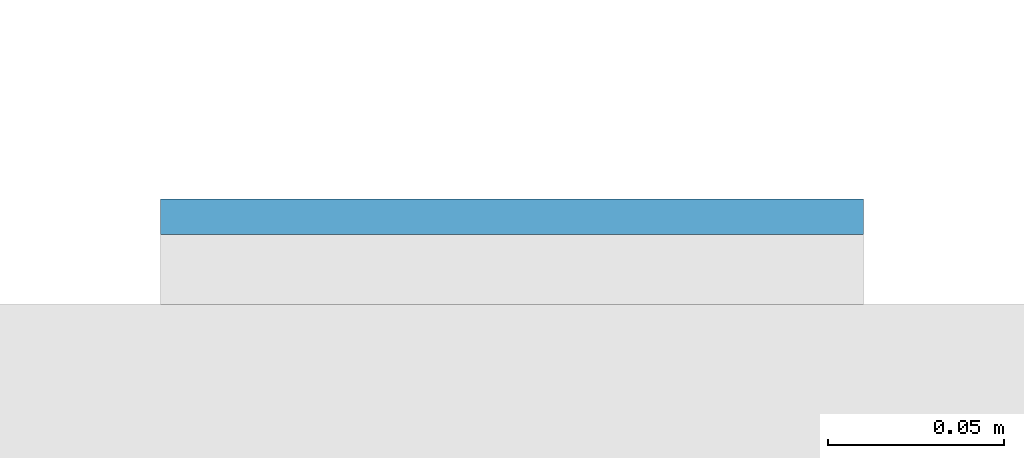
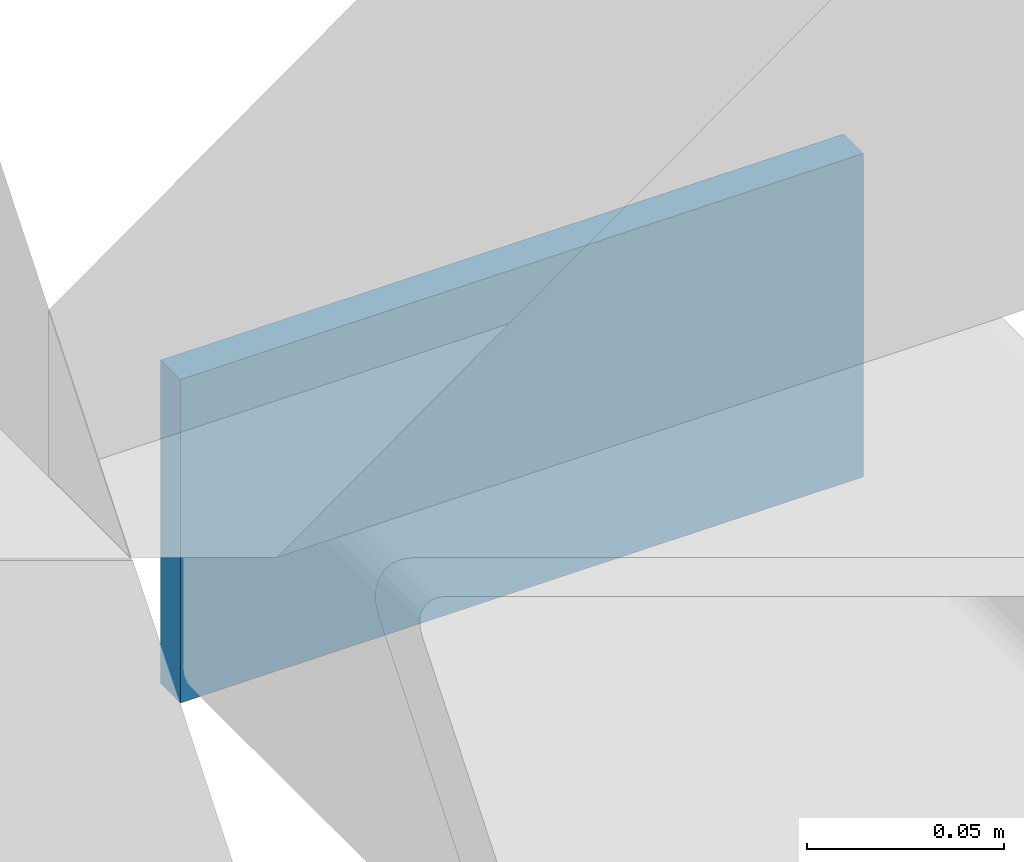
# One storey, part 6 of 12: 1 plate.
"""IFC4 building model written with IfcOpenShell, lengths in metres."""

from ifc_helpers import new_model, si_unit, direction, frame, origin, origin_2d, place, context, subcontext, project, spatial, rectangle, extrude, material, layer, layer_set, type_object, element, save


model = new_model("IFC4")

# Units and contexts
model_context = context("Model", 3, precision=1e-05, world=origin(), true_north=direction((0.0, 1.0)))
body_context = subcontext(model_context, "Body", "Model", "MODEL_VIEW")
ifc_project = project(units=[si_unit("LENGTHUNIT", "METRE"), si_unit("AREAUNIT", "SQUARE_METRE"), si_unit("VOLUMEUNIT", "CUBIC_METRE"), si_unit("PLANEANGLEUNIT", "RADIAN"), si_unit("MASSUNIT", "GRAM", prefix="KILO")], contexts=[model_context])

# Site, building, storey
site_placement = place(None, origin())
site = spatial("IfcSite", under=ifc_project, at=site_placement, CompositionType="ELEMENT")
building_placement = place(site_placement, origin())
building = spatial("IfcBuilding", under=site, at=building_placement, Name="Cleftline Residences", CompositionType="ELEMENT")
storey_placement = place(building_placement, frame((0.0, 0.0, 266.39990234375)))
storey = spatial("IfcBuildingStorey", under=building, at=storey_placement, Name="L70", CompositionType="ELEMENT", Elevation=266.39990234375)

# Plate
ifc_material = material(Name="Steel S355, hot-dip galvanised", Category="steel")
ifc_layer = layer(ifc_material, 0.010009765625)
ifc_layer_set = layer_set([ifc_layer], Name="BAGUETTE CARRIER END PLATE 200X100X10")
plate_type = type_object("IfcPlateType", Name="BAGUETTE CARRIER END PLATE 200X100X10", PredefinedType="USERDEFINED", material=ifc_layer_set)
plate_placement = place(storey_placement, frame((66.85009765625, 44.304931640625, -0.099853515625), z_axis=(0.0, 0.0, 1.0), x_axis=(1.0, 0.0, 0.0)))
element("IfcPlate", 1, at=plate_placement, inside=storey, type_object=plate_type, Name="Baguette carrier end plate", ObjectType="BAGUETTE CARRIER END PLATE", PredefinedType="USERDEFINED", context=body_context, shape_type="SweptSolid", body=[
    extrude(rectangle(XDim=0.199951171875, YDim=0.010009765625, at=origin_2d()), origin(), (0.0, 0.0, 1.0), 0.10009765625),
])

save(model, "model.ifc")
